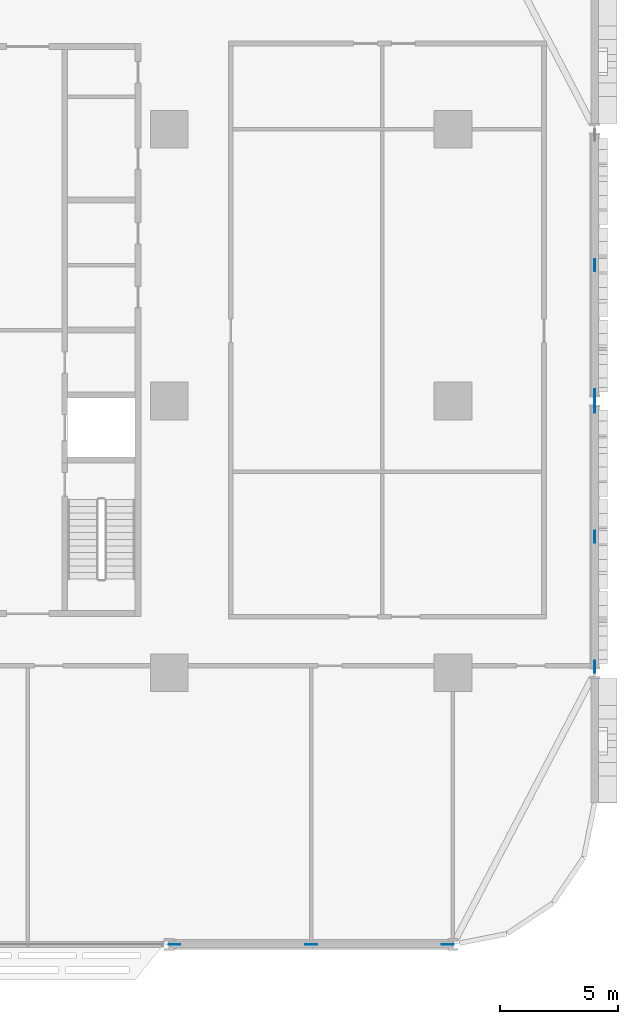
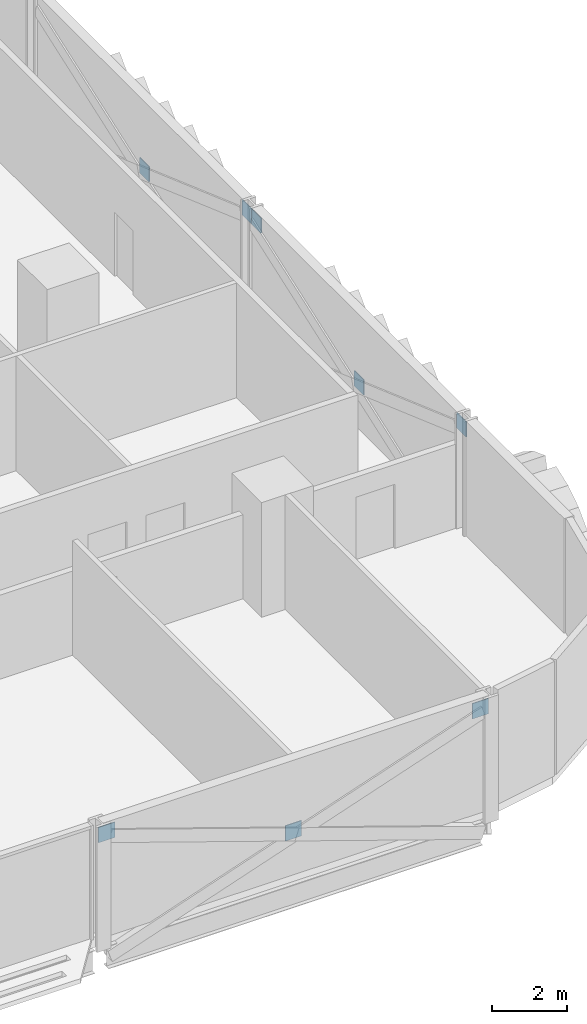
# One storey, part 20 of 29: 8 discrete accessories.
"""IFC4 building model written with IfcOpenShell, lengths in metres."""

from ifc_helpers import new_model, si_unit, direction, frame, origin, origin_2d, place, context, subcontext, project, spatial, rectangle, extrude, material, layer, layer_set, type_object, element, save


model = new_model("IFC4")

# Units and contexts
model_context = context("Model", 3, precision=1e-05, world=origin(), true_north=direction((0.0, 1.0)))
body_context = subcontext(model_context, "Body", "Model", "MODEL_VIEW")
ifc_project = project(units=[si_unit("LENGTHUNIT", "METRE"), si_unit("AREAUNIT", "SQUARE_METRE"), si_unit("VOLUMEUNIT", "CUBIC_METRE"), si_unit("PLANEANGLEUNIT", "RADIAN"), si_unit("MASSUNIT", "GRAM", prefix="KILO")], contexts=[model_context])

# Site, building, storey
site_placement = place(None, origin())
site = spatial("IfcSite", under=ifc_project, at=site_placement, CompositionType="ELEMENT")
building_placement = place(site_placement, origin())
building = spatial("IfcBuilding", under=site, at=building_placement, Name="Mahtab Terrace Research Tower", CompositionType="ELEMENT")
storey_placement = place(building_placement, frame((0.0, 0.0, 37.300048828125)))
storey = spatial("IfcBuildingStorey", under=building, at=storey_placement, Name="L08", CompositionType="ELEMENT", Elevation=37.300048828125)

# Discrete accessories
ifc_material = material(Name="Steel ASTM A992 Gr 50", Category="steel")
ifc_layer = layer(ifc_material, 0.030029296875)
ifc_layer_set = layer_set([ifc_layer], Name="Gusset plate 500x500x30")
discrete_accessory_type = type_object("IfcDiscreteAccessoryType", Name="Gusset plate 500x500x30", PredefinedType="USERDEFINED", material=ifc_layer_set)
for number, where, z_axis, x_axis, name in (
    (1, (30.2158203125, -23.0, 3.0478515625), (0.0, 0.0, 1.0), (1.0, 0.0, 0.0), "Gusset plate"),
    (2, (36.0, -23.0, 1.076416015625), (0.0, 0.0, 1.0), (1.0, 0.0, 0.0), "Gusset plate"),
    (3, (41.7841796875, -23.0, 3.0478515625), (0.0, 0.0, 1.0), (1.0, 0.0, 0.0), "Gusset plate"),
    (4, (48.0, -11.251220703125, 3.032958984375), (0.0, 0.0, 1.0), (0.0, 1.0, 0.0), "Gusset plate"),
    (5, (48.0, -5.75, 1.076416015625), (0.0, 0.0, 1.0), (0.0, 1.0, 0.0), "Gusset plate"),
    (6, (48.0, -0.248779296875, 3.032958984375), (0.0, 0.0, 1.0), (0.0, 1.0, 0.0), "Gusset plate"),
    (7, (48.0, 0.248779296875, 3.032958984375), (0.0, 0.0, 1.0), (0.0, 1.0, 0.0), "Gusset plate"),
    (8, (48.0, 5.75, 1.076416015625), (0.0, 0.0, 1.0), (0.0, 1.0, 0.0), "Gusset plate"),
):
    element("IfcDiscreteAccessory", number, at=place(storey_placement, frame(where, z_axis=z_axis, x_axis=x_axis)), inside=storey, type_object=discrete_accessory_type, Name=name, ObjectType="GUSSET PLATE", PredefinedType="USERDEFINED", context=body_context, shape_type="SweptSolid", body=[
        extrude(rectangle(XDim=0.5, YDim=0.030029296875, at=origin_2d()), origin(), (0.0, 0.0, 1.0), 0.5),
    ])

save(model, "model.ifc")
